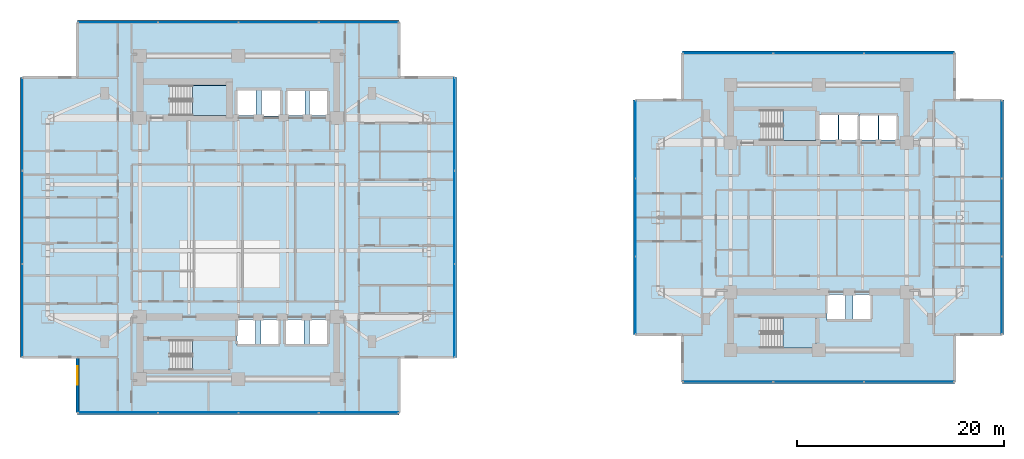
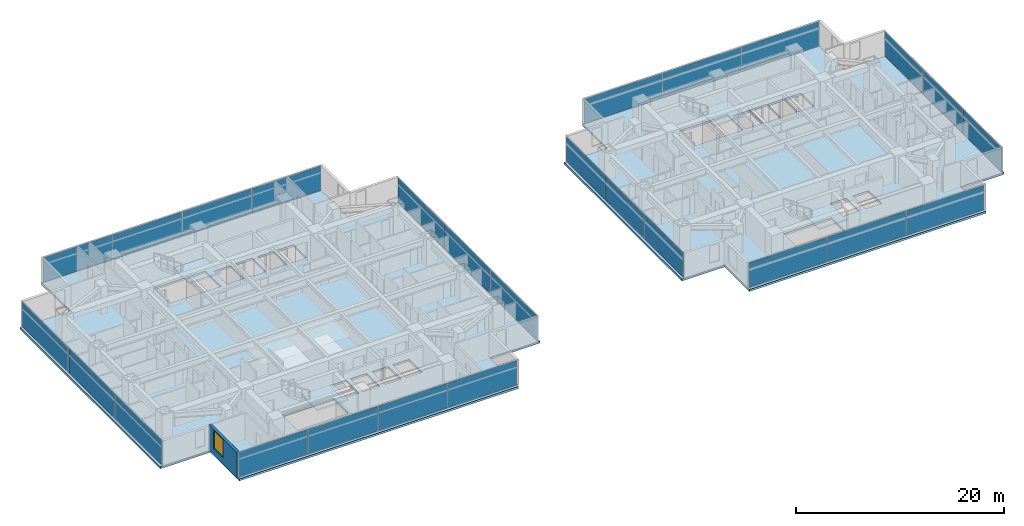
# One storey, part 12 of 27: 26 plates, 6 slabs, 1 wall, 1 window, 1 opening, 12 elements without a shape of their own.
"""IFC4 building model written with IfcOpenShell, lengths in metres."""

import ifcopenshell
import ifcopenshell.guid

model = None  # the IFC model being written
_history = None  # IfcOwnerHistory: only IFC2X3 demands one
_inside = {}  # id of a spatial element -> (the spatial element, [elements in it])
_under = {}  # id of a project, library or spatial element -> (it, [spatial elements below it])
_declared = {}  # id of a project -> (the project, [libraries it declares])
_typed = {}  # id of a type object -> (the type object, [elements of that type])
_made_of = {}  # id of a material, layer set ... -> (it, [elements and type objects made of it])


def new_model(schema):
    """Start an empty IFC model of exactly this schema.

    Asked for "IFC4X3", IfcOpenShell would pick the latest addendum, in which some entities
    have other attributes; the version numbers below select the first issue.
    IFC2X3 requires an IfcOwnerHistory on every rooted entity: one is made here for all.
    """
    global model, _history
    if schema == "IFC4X3":
        model = ifcopenshell.file(schema_version=(4, 3, 0, 0))
    else:
        model = ifcopenshell.file(schema=schema)
    _inside.clear()
    _under.clear()
    _declared.clear()
    _typed.clear()
    _made_of.clear()
    _history = None
    if model.schema == "IFC2X3":
        org = make("IfcOrganization", Name="unknown")
        user = make(
            "IfcPersonAndOrganization",
            ThePerson=make("IfcPerson", FamilyName="unknown"),
            TheOrganization=org,
        )
        app = make(
            "IfcApplication",
            ApplicationDeveloper=org,
            Version="unknown",
            ApplicationFullName="unknown",
            ApplicationIdentifier="unknown",
        )
        _history = make(
            "IfcOwnerHistory",
            OwningUser=user,
            OwningApplication=app,
            ChangeAction="ADDED",
            CreationDate=0,
        )
    return model


def make(cls, **values):
    """One entity of the class cls with the attributes given. An attribute that is None is left unset."""
    return model.create_entity(
        cls, **{name: value for name, value in values.items() if value is not None}
    )


def rooted(cls, **values):
    """An entity with a GlobalId (a new one), such as an element, a storey or a relation."""
    return make(cls, GlobalId=ifcopenshell.guid.new(), OwnerHistory=_history, **values)


def si_unit(unit_type, name, prefix=None):
    """IfcSIUnit, for example si_unit("LENGTHUNIT", "METRE", prefix="MILLI")."""
    return make("IfcSIUnit", UnitType=unit_type, Prefix=prefix, Name=name)


def assignment(units):
    """IfcUnitAssignment: the units of a project."""
    return None if units is None else make("IfcUnitAssignment", Units=units)


def point(xyz):
    """IfcCartesianPoint."""
    return None if xyz is None else make("IfcCartesianPoint", Coordinates=xyz)


def direction(xyz):
    """IfcDirection."""
    return None if xyz is None else make("IfcDirection", DirectionRatios=xyz)


def frame(location, z_axis=None, x_axis=None):
    """IfcAxis2Placement3D, a coordinate frame: its origin and axes. An axis left out is left unset."""
    return make(
        "IfcAxis2Placement3D",
        Location=point(location),
        Axis=direction(z_axis),
        RefDirection=direction(x_axis),
    )


def frame_2d(location, x_axis=None):
    """IfcAxis2Placement2D, a coordinate frame in the plane: its origin and x axis."""
    return make(
        "IfcAxis2Placement2D", Location=point(location), RefDirection=direction(x_axis)
    )


def origin():
    """The frame at (0, 0, 0) with its axes left unset."""
    return frame((0.0, 0.0, 0.0))


def origin_2d():
    """The frame at (0, 0) in the plane with its x axis left unset."""
    return frame_2d((0.0, 0.0))


def place(relative_to, where):
    """IfcLocalPlacement: puts the frame where relative to a parent placement (None: the world)."""
    return make(
        "IfcLocalPlacement", PlacementRelTo=relative_to, RelativePlacement=where
    )


def context(
    kind, dimensions, precision=None, world=None, true_north=None, identifier=None
):
    """IfcGeometricRepresentationContext, for example the 3D "Model" context."""
    return make(
        "IfcGeometricRepresentationContext",
        ContextIdentifier=identifier,
        ContextType=kind,
        CoordinateSpaceDimension=dimensions,
        Precision=precision,
        WorldCoordinateSystem=world,
        TrueNorth=true_north,
    )


def subcontext(parent, identifier, kind, view, scale=None):
    """IfcGeometricRepresentationSubContext, for example "Body" below "Model"."""
    return make(
        "IfcGeometricRepresentationSubContext",
        ContextIdentifier=identifier,
        ContextType=kind,
        ParentContext=parent,
        TargetScale=scale,
        TargetView=view,
    )


def project(units=None, contexts=None):
    """IfcProject with its units and contexts."""
    return rooted(
        "IfcProject",
        Name="project",
        RepresentationContexts=contexts,
        UnitsInContext=assignment(units),
    )


def spatial(cls, under=None, at=None, **own):
    """A site, building, storey or space (cls), placed at a placement, below another one or the project."""
    s = rooted(cls, ObjectPlacement=at, **own)
    if under is not None:
        _under.setdefault(under.id(), (under, []))[1].append(s)
    return s


def polyline(points):
    """IfcPolyline through the points."""
    return make("IfcPolyline", Points=[point(p) for p in points])


def profile(cls, at=None, kind="AREA", **sizes):
    """A parametric profile (cls). Its sizes go by their IFC names, for example OverallWidth=200.0."""
    return make(cls, ProfileType=kind, Position=at, **sizes)


def rectangle(**sizes):
    """IfcRectangleProfileDef."""
    return profile("IfcRectangleProfileDef", **sizes)


def outline(outer, holes=None, kind="AREA"):
    """IfcArbitraryClosedProfileDef: a profile drawn as a closed curve; with holes, ...WithVoids."""
    if holes is None:
        return make("IfcArbitraryClosedProfileDef", ProfileType=kind, OuterCurve=outer)
    return make(
        "IfcArbitraryProfileDefWithVoids",
        ProfileType=kind,
        OuterCurve=outer,
        InnerCurves=holes,
    )


def extrude(swept, where, along, depth):
    """IfcExtrudedAreaSolid: the profile swept, set in the frame where, extruded along a direction by depth."""
    return make(
        "IfcExtrudedAreaSolid",
        SweptArea=swept,
        Position=where,
        ExtrudedDirection=direction(along),
        Depth=depth,
    )


def shape(context_of_items, identifier, shape_type, items):
    """IfcShapeRepresentation: the items that make up one representation, for example the "Body"."""
    return make(
        "IfcShapeRepresentation",
        ContextOfItems=context_of_items,
        RepresentationIdentifier=identifier,
        RepresentationType=shape_type,
        Items=items,
    )


def material(Name=None, Category=None):
    """IfcMaterial."""
    return make("IfcMaterial", Name=Name, Category=Category)


def layer(
    of_material, thickness, ventilated=None, Name=None, Category=None, Priority=None
):
    """IfcMaterialLayer: one layer of a wall or slab, of a material (None: an air gap)."""
    return make(
        "IfcMaterialLayer",
        Material=of_material,
        LayerThickness=thickness,
        IsVentilated=ventilated,
        Name=Name,
        Category=Category,
        Priority=Priority,
    )


def layer_set(layers, Name=None):
    """IfcMaterialLayerSet."""
    return make("IfcMaterialLayerSet", MaterialLayers=layers, LayerSetName=Name)


def made_of(thing, what):
    """Note that an element or type object is made of a material, layer set ...; save() writes the relation."""
    if what is not None:
        _made_of.setdefault(what.id(), (what, []))[1].append(thing)
    return thing


def type_object(cls, material=None, **own):
    """A type object (cls), such as IfcWallType, which elements share."""
    return made_of(rooted(cls, **own), material)


def element(
    cls,
    number,
    at=None,
    inside=None,
    cuts=None,
    type_object=None,
    material=None,
    context=None,
    identifier="Body",
    shape_type=None,
    held_by="IfcProductDefinitionShape",
    body=None,
    shapes=None,
    **own,
):
    """One element of the class cls, such as IfcWall. Its Tag is "e" and its number.

    at: its placement. inside: the storey or other place that contains it. cuts: it is an
    opening in that element (IfcRelVoidsElement). A single representation is given by context,
    identifier, shape_type and body (its items); several are given by shapes. held_by: the class
    of the entity that holds the representations. save() writes the other relations.
    """
    e = rooted(cls, Tag="e%d" % number, ObjectPlacement=at, **own)
    if body is not None:
        shapes = [shape(context, identifier, shape_type, body)]
    if shapes is not None:
        e.Representation = make(held_by, Representations=shapes)
    if inside is not None:
        _inside.setdefault(inside.id(), (inside, []))[1].append(e)
    if cuts is not None:
        rooted(
            "IfcRelVoidsElement", RelatingBuildingElement=cuts, RelatedOpeningElement=e
        )
    if type_object is not None:
        _typed.setdefault(type_object.id(), (type_object, []))[1].append(e)
    return made_of(e, material)


def fill(opening, filler):
    """IfcRelFillsElement: the door or window that sits in an opening."""
    return rooted(
        "IfcRelFillsElement",
        RelatingOpeningElement=opening,
        RelatedBuildingElement=filler,
    )


def aggregate(whole, parts):
    """IfcRelAggregates: a whole, such as a stair, and the parts it consists of."""
    return rooted("IfcRelAggregates", RelatingObject=whole, RelatedObjects=parts)


def save(model, path):
    """Write the relations noted so far, then the file.

    IfcRelAggregates (storeys below a building ...), IfcRelContainedInSpatialStructure (elements
    in a storey), IfcRelDefinesByType, IfcRelAssociatesMaterial and IfcRelDeclares: one each for
    every whole, place, type object, material and project.
    """
    for whole, parts in _under.values():
        aggregate(whole, parts)
    for where, things in _inside.values():
        rooted(
            "IfcRelContainedInSpatialStructure",
            RelatedElements=things,
            RelatingStructure=where,
        )
    for kind, things in _typed.values():
        rooted("IfcRelDefinesByType", RelatedObjects=things, RelatingType=kind)
    for what, things in _made_of.values():
        rooted("IfcRelAssociatesMaterial", RelatedObjects=things, RelatingMaterial=what)
    for by, libraries in _declared.values():
        rooted("IfcRelDeclares", RelatingContext=by, RelatedDefinitions=libraries)
    model.write(path)


model = new_model("IFC4")

# Units and contexts
model_context = context("Model", 3, precision=1e-05, world=origin(), true_north=direction((0.0, 1.0)))
body_context = subcontext(model_context, "Body", "Model", "MODEL_VIEW")
ifc_project = project(units=[si_unit("LENGTHUNIT", "METRE"), si_unit("AREAUNIT", "SQUARE_METRE"), si_unit("VOLUMEUNIT", "CUBIC_METRE"), si_unit("PLANEANGLEUNIT", "RADIAN"), si_unit("MASSUNIT", "GRAM", prefix="KILO")], contexts=[model_context])

# Site, building, storey
site_placement = place(None, origin())
site = spatial("IfcSite", under=ifc_project, at=site_placement, CompositionType="ELEMENT")
building_placement = place(site_placement, origin())
building = spatial("IfcBuilding", under=site, at=building_placement, Name="Mirazonda Arch Towers", CompositionType="ELEMENT")
storey_placement = place(building_placement, frame((0.0, 0.0, 55.39990234375)))
storey = spatial("IfcBuildingStorey", under=building, at=storey_placement, Name="L15", CompositionType="ELEMENT", Elevation=55.39990234375)

# Curtain wall, plates
ifc_material_1 = material(Name="Anodised Aluminium and Low-E Glass", Category="aluminium")
curtain_wall_type = type_object("IfcCurtainWallType", Name="CW-HTL-UNIT", PredefinedType="NOTDEFINED", material=ifc_material_1)
curtain_wall_1_placement = place(storey_placement, origin())
curtain_wall_1 = element("IfcCurtainWall", 1, at=curtain_wall_1_placement, inside=storey, type_object=curtain_wall_type, Name="L15 T1 S Facade CW-L15-T1-S", PredefinedType="NOTDEFINED")
ifc_material_2 = material(Name="Insulated Low-E Solar Glass", Category="glass")
ifc_layer_1 = layer(ifc_material_2, 0.035888671875, Name="PAN-CW-HTL-UNIT")
ifc_layer_set_1 = layer_set([ifc_layer_1], Name="Insulated Low-E Solar Glass")
plate_type = type_object("IfcPlateType", Name="PAN-CW-HTL-UNIT", PredefinedType="CURTAIN_PANEL", material=ifc_layer_set_1)
plate_1_placement = place(storey_placement, frame((32.121337890625, 9.162109375, 0.0751953125), z_axis=(0.0, 0.0, 1.0), x_axis=(-1.0, 0.0, 0.0)))
plate_1 = element("IfcPlate", 2, at=plate_1_placement, type_object=plate_type, Name="CW-112 panel 1.1", PredefinedType="CURTAIN_PANEL", context=body_context, shape_type="SweptSolid", body=[
    extrude(rectangle(XDim=7.6474609375, YDim=0.035888671875, at=origin_2d()), origin(), (0.0, 0.0, 1.0), 2.889892578125),
])
plate_2_placement = place(storey_placement, frame((24.3798828125, 9.162109375, 0.0751953125), z_axis=(0.0, 0.0, 1.0), x_axis=(-1.0, 0.0, 0.0)))
plate_2 = element("IfcPlate", 3, at=plate_2_placement, type_object=plate_type, Name="CW-112 panel 2.1", PredefinedType="CURTAIN_PANEL", context=body_context, shape_type="SweptSolid", body=[
    extrude(rectangle(XDim=7.68505859375, YDim=0.035888671875, at=origin_2d()), origin(), (0.0, 0.0, 1.0), 2.889892578125),
])
plate_3_placement = place(storey_placement, frame((16.6201171875, 9.162109375, 0.0751953125), z_axis=(0.0, 0.0, 1.0), x_axis=(-1.0, 0.0, 0.0)))
plate_3 = element("IfcPlate", 4, at=plate_3_placement, type_object=plate_type, Name="CW-112 panel 3.1", PredefinedType="CURTAIN_PANEL", context=body_context, shape_type="SweptSolid", body=[
    extrude(rectangle(XDim=7.68505859375, YDim=0.035888671875, at=origin_2d()), origin(), (0.0, 0.0, 1.0), 2.889892578125),
])
plate_4_placement = place(storey_placement, frame((8.878662109375, 9.162109375, 0.0751953125), z_axis=(0.0, 0.0, 1.0), x_axis=(-1.0, 0.0, 0.0)))
plate_4 = element("IfcPlate", 5, at=plate_4_placement, type_object=plate_type, Name="CW-112 panel 4.1", PredefinedType="CURTAIN_PANEL", context=body_context, shape_type="SweptSolid", body=[
    extrude(rectangle(XDim=7.6474609375, YDim=0.035888671875, at=origin_2d()), origin(), (0.0, 0.0, 1.0), 2.889892578125),
])
aggregate(curtain_wall_1, [plate_1, plate_2, plate_3, plate_4])

curtain_wall_2_placement = place(storey_placement, origin())
curtain_wall_2 = element("IfcCurtainWall", 6, at=curtain_wall_2_placement, inside=storey, type_object=curtain_wall_type, Name="L15 T1 E Facade CW-L15-T1-E", PredefinedType="NOTDEFINED")
plate_5_placement = place(storey_placement, frame((41.360107421875, 19.02001953125, 0.0751953125), z_axis=(0.0, 0.0, 1.0), x_axis=(0.0, 1.0, 0.0)))
plate_5 = element("IfcPlate", 7, at=plate_5_placement, type_object=plate_type, Name="CW-112 panel 1.1", PredefinedType="CURTAIN_PANEL", context=body_context, shape_type="SweptSolid", body=[
    extrude(rectangle(XDim=8.88623046875, YDim=0.035888671875, at=origin_2d()), origin(), (0.0, 0.0, 1.0), 2.889892578125),
])
plate_6_placement = place(storey_placement, frame((41.360107421875, 28.0, 0.0751953125), z_axis=(0.0, 0.0, 1.0), x_axis=(0.0, 1.0, 0.0)))
plate_6 = element("IfcPlate", 8, at=plate_6_placement, type_object=plate_type, Name="CW-112 panel 2.1", PredefinedType="CURTAIN_PANEL", context=body_context, shape_type="SweptSolid", body=[
    extrude(rectangle(XDim=8.923583984375, YDim=0.035888671875, at=origin_2d()), origin(), (0.0, 0.0, 1.0), 2.889892578125),
])
plate_7_placement = place(storey_placement, frame((41.360107421875, 36.97998046875, 0.0751953125), z_axis=(0.0, 0.0, 1.0), x_axis=(0.0, 1.0, 0.0)))
plate_7 = element("IfcPlate", 9, at=plate_7_placement, type_object=plate_type, Name="CW-112 panel 3.1", PredefinedType="CURTAIN_PANEL", context=body_context, shape_type="SweptSolid", body=[
    extrude(rectangle(XDim=8.88623046875, YDim=0.035888671875, at=origin_2d()), origin(), (0.0, 0.0, 1.0), 2.889892578125),
])
aggregate(curtain_wall_2, [plate_5, plate_6, plate_7])

curtain_wall_3_placement = place(storey_placement, origin())
curtain_wall_3 = element("IfcCurtainWall", 10, at=curtain_wall_3_placement, inside=storey, type_object=curtain_wall_type, Name="L15 T1 N Facade CW-L15-T1-N", PredefinedType="NOTDEFINED")
plate_8_placement = place(storey_placement, frame((8.878662109375, 46.837890625, 0.0751953125), z_axis=(0.0, 0.0, 1.0), x_axis=(1.0, 0.0, 0.0)))
plate_8 = element("IfcPlate", 11, at=plate_8_placement, type_object=plate_type, Name="CW-112 panel 1.1", PredefinedType="CURTAIN_PANEL", context=body_context, shape_type="SweptSolid", body=[
    extrude(rectangle(XDim=7.6474609375, YDim=0.035888671875, at=origin_2d()), origin(), (0.0, 0.0, 1.0), 2.889892578125),
])
plate_9_placement = place(storey_placement, frame((16.6201171875, 46.837890625, 0.0751953125), z_axis=(0.0, 0.0, 1.0), x_axis=(1.0, 0.0, 0.0)))
plate_9 = element("IfcPlate", 12, at=plate_9_placement, type_object=plate_type, Name="CW-112 panel 2.1", PredefinedType="CURTAIN_PANEL", context=body_context, shape_type="SweptSolid", body=[
    extrude(rectangle(XDim=7.68505859375, YDim=0.035888671875, at=origin_2d()), origin(), (0.0, 0.0, 1.0), 2.889892578125),
])
plate_10_placement = place(storey_placement, frame((24.3798828125, 46.837890625, 0.0751953125), z_axis=(0.0, 0.0, 1.0), x_axis=(1.0, 0.0, 0.0)))
plate_10 = element("IfcPlate", 13, at=plate_10_placement, type_object=plate_type, Name="CW-112 panel 3.1", PredefinedType="CURTAIN_PANEL", context=body_context, shape_type="SweptSolid", body=[
    extrude(rectangle(XDim=7.68505859375, YDim=0.035888671875, at=origin_2d()), origin(), (0.0, 0.0, 1.0), 2.889892578125),
])
plate_11_placement = place(storey_placement, frame((32.121337890625, 46.837890625, 0.0751953125), z_axis=(0.0, 0.0, 1.0), x_axis=(1.0, 0.0, 0.0)))
plate_11 = element("IfcPlate", 14, at=plate_11_placement, type_object=plate_type, Name="CW-112 panel 4.1", PredefinedType="CURTAIN_PANEL", context=body_context, shape_type="SweptSolid", body=[
    extrude(rectangle(XDim=7.6474609375, YDim=0.035888671875, at=origin_2d()), origin(), (0.0, 0.0, 1.0), 2.889892578125),
])
aggregate(curtain_wall_3, [plate_8, plate_9, plate_10, plate_11])

curtain_wall_4_placement = place(storey_placement, origin())
curtain_wall_4 = element("IfcCurtainWall", 15, at=curtain_wall_4_placement, inside=storey, type_object=curtain_wall_type, Name="L15 T1 W Facade CW-L15-T1-W", PredefinedType="NOTDEFINED")
plate_12_placement = place(storey_placement, frame((-0.360107421875, 36.97998046875, 0.0751953125), z_axis=(0.0, 0.0, 1.0), x_axis=(0.0, -1.0, 0.0)))
plate_12 = element("IfcPlate", 16, at=plate_12_placement, type_object=plate_type, Name="CW-112 panel 1.1", PredefinedType="CURTAIN_PANEL", context=body_context, shape_type="SweptSolid", body=[
    extrude(rectangle(XDim=8.88623046875, YDim=0.035888671875, at=origin_2d()), origin(), (0.0, 0.0, 1.0), 2.889892578125),
])
plate_13_placement = place(storey_placement, frame((-0.360107421875, 28.0, 0.0751953125), z_axis=(0.0, 0.0, 1.0), x_axis=(0.0, -1.0, 0.0)))
plate_13 = element("IfcPlate", 17, at=plate_13_placement, type_object=plate_type, Name="CW-112 panel 2.1", PredefinedType="CURTAIN_PANEL", context=body_context, shape_type="SweptSolid", body=[
    extrude(rectangle(XDim=8.923583984375, YDim=0.035888671875, at=origin_2d()), origin(), (0.0, 0.0, 1.0), 2.889892578125),
])
plate_14_placement = place(storey_placement, frame((-0.360107421875, 19.02001953125, 0.0751953125), z_axis=(0.0, 0.0, 1.0), x_axis=(0.0, -1.0, 0.0)))
plate_14 = element("IfcPlate", 18, at=plate_14_placement, type_object=plate_type, Name="CW-112 panel 3.1", PredefinedType="CURTAIN_PANEL", context=body_context, shape_type="SweptSolid", body=[
    extrude(rectangle(XDim=8.88623046875, YDim=0.035888671875, at=origin_2d()), origin(), (0.0, 0.0, 1.0), 2.889892578125),
])
aggregate(curtain_wall_4, [plate_12, plate_13, plate_14])

curtain_wall_5_placement = place(storey_placement, origin())
curtain_wall_5 = element("IfcCurtainWall", 19, at=curtain_wall_5_placement, inside=storey, type_object=curtain_wall_type, Name="L15 T2 S Facade CW-L15-T2-S", PredefinedType="NOTDEFINED")
plate_15_placement = place(storey_placement, frame((85.23583984375, 12.140625, 0.0751953125), z_axis=(0.0, 0.0, 1.0), x_axis=(-1.0, 0.0, 0.0)))
plate_15 = element("IfcPlate", 20, at=plate_15_placement, type_object=plate_type, Name="CW-112 panel 1.1", PredefinedType="CURTAIN_PANEL", context=body_context, shape_type="SweptSolid", body=[
    extrude(rectangle(XDim=8.64208984375, YDim=0.035888671875, at=origin_2d()), origin(), (0.0, 0.0, 1.0), 2.889892578125),
])
plate_16_placement = place(storey_placement, frame((76.5, 12.140625, 0.0751953125), z_axis=(0.0, 0.0, 1.0), x_axis=(-1.0, 0.0, 0.0)))
plate_16 = element("IfcPlate", 21, at=plate_16_placement, type_object=plate_type, Name="CW-112 panel 2.1", PredefinedType="CURTAIN_PANEL", context=body_context, shape_type="SweptSolid", body=[
    extrude(rectangle(XDim=8.6796875, YDim=0.035888671875, at=origin_2d()), origin(), (0.0, 0.0, 1.0), 2.889892578125),
])
plate_17_placement = place(storey_placement, frame((67.76416015625, 12.140625, 0.0751953125), z_axis=(0.0, 0.0, 1.0), x_axis=(-1.0, 0.0, 0.0)))
plate_17 = element("IfcPlate", 22, at=plate_17_placement, type_object=plate_type, Name="CW-112 panel 3.1", PredefinedType="CURTAIN_PANEL", context=body_context, shape_type="SweptSolid", body=[
    extrude(rectangle(XDim=8.64208984375, YDim=0.035888671875, at=origin_2d()), origin(), (0.0, 0.0, 1.0), 2.889892578125),
])
aggregate(curtain_wall_5, [plate_15, plate_16, plate_17])

curtain_wall_6_placement = place(storey_placement, origin())
curtain_wall_6 = element("IfcCurtainWall", 23, at=curtain_wall_6_placement, inside=storey, type_object=curtain_wall_type, Name="L15 T2 E Facade CW-L15-T2-E", PredefinedType="NOTDEFINED")
plate_18_placement = place(storey_placement, frame((94.177978515625, 20.4765625, 0.0751953125), z_axis=(0.0, 0.0, 1.0), x_axis=(0.0, 1.0, 0.0)))
plate_18 = element("IfcPlate", 24, at=plate_18_placement, type_object=plate_type, Name="CW-112 panel 1.1", PredefinedType="CURTAIN_PANEL", context=body_context, shape_type="SweptSolid", body=[
    extrude(rectangle(XDim=7.4296875, YDim=0.035888671875, at=origin_2d()), origin(), (0.0, 0.0, 1.0), 2.889892578125),
])
plate_19_placement = place(storey_placement, frame((94.177978515625, 28.0, 0.0751953125), z_axis=(0.0, 0.0, 1.0), x_axis=(0.0, 1.0, 0.0)))
plate_19 = element("IfcPlate", 25, at=plate_19_placement, type_object=plate_type, Name="CW-112 panel 2.1", PredefinedType="CURTAIN_PANEL", context=body_context, shape_type="SweptSolid", body=[
    extrude(rectangle(XDim=7.46728515625, YDim=0.035888671875, at=origin_2d()), origin(), (0.0, 0.0, 1.0), 2.889892578125),
])
plate_20_placement = place(storey_placement, frame((94.177978515625, 35.5234375, 0.0751953125), z_axis=(0.0, 0.0, 1.0), x_axis=(0.0, 1.0, 0.0)))
plate_20 = element("IfcPlate", 26, at=plate_20_placement, type_object=plate_type, Name="CW-112 panel 3.1", PredefinedType="CURTAIN_PANEL", context=body_context, shape_type="SweptSolid", body=[
    extrude(rectangle(XDim=7.4296875, YDim=0.035888671875, at=origin_2d()), origin(), (0.0, 0.0, 1.0), 2.889892578125),
])
aggregate(curtain_wall_6, [plate_18, plate_19, plate_20])

curtain_wall_7_placement = place(storey_placement, origin())
curtain_wall_7 = element("IfcCurtainWall", 27, at=curtain_wall_7_placement, inside=storey, type_object=curtain_wall_type, Name="L15 T2 N Facade CW-L15-T2-N", PredefinedType="NOTDEFINED")
plate_21_placement = place(storey_placement, frame((67.76416015625, 43.859375, 0.0751953125), z_axis=(0.0, 0.0, 1.0), x_axis=(1.0, 0.0, 0.0)))
plate_21 = element("IfcPlate", 28, at=plate_21_placement, type_object=plate_type, Name="CW-112 panel 1.1", PredefinedType="CURTAIN_PANEL", context=body_context, shape_type="SweptSolid", body=[
    extrude(rectangle(XDim=8.64208984375, YDim=0.035888671875, at=origin_2d()), origin(), (0.0, 0.0, 1.0), 2.889892578125),
])
plate_22_placement = place(storey_placement, frame((76.5, 43.859375, 0.0751953125), z_axis=(0.0, 0.0, 1.0), x_axis=(1.0, 0.0, 0.0)))
plate_22 = element("IfcPlate", 29, at=plate_22_placement, type_object=plate_type, Name="CW-112 panel 2.1", PredefinedType="CURTAIN_PANEL", context=body_context, shape_type="SweptSolid", body=[
    extrude(rectangle(XDim=8.6796875, YDim=0.035888671875, at=origin_2d()), origin(), (0.0, 0.0, 1.0), 2.889892578125),
])
plate_23_placement = place(storey_placement, frame((85.23583984375, 43.859375, 0.0751953125), z_axis=(0.0, 0.0, 1.0), x_axis=(1.0, 0.0, 0.0)))
plate_23 = element("IfcPlate", 30, at=plate_23_placement, type_object=plate_type, Name="CW-112 panel 3.1", PredefinedType="CURTAIN_PANEL", context=body_context, shape_type="SweptSolid", body=[
    extrude(rectangle(XDim=8.64208984375, YDim=0.035888671875, at=origin_2d()), origin(), (0.0, 0.0, 1.0), 2.889892578125),
])
aggregate(curtain_wall_7, [plate_21, plate_22, plate_23])

curtain_wall_8_placement = place(storey_placement, origin())
curtain_wall_8 = element("IfcCurtainWall", 31, at=curtain_wall_8_placement, inside=storey, type_object=curtain_wall_type, Name="L15 T2 W Facade CW-L15-T2-W", PredefinedType="NOTDEFINED")
plate_24_placement = place(storey_placement, frame((58.822021484375, 35.5234375, 0.0751953125), z_axis=(0.0, 0.0, 1.0), x_axis=(0.0, -1.0, 0.0)))
plate_24 = element("IfcPlate", 32, at=plate_24_placement, type_object=plate_type, Name="CW-112 panel 1.1", PredefinedType="CURTAIN_PANEL", context=body_context, shape_type="SweptSolid", body=[
    extrude(rectangle(XDim=7.4296875, YDim=0.035888671875, at=origin_2d()), origin(), (0.0, 0.0, 1.0), 2.889892578125),
])
plate_25_placement = place(storey_placement, frame((58.822021484375, 28.0, 0.0751953125), z_axis=(0.0, 0.0, 1.0), x_axis=(0.0, -1.0, 0.0)))
plate_25 = element("IfcPlate", 33, at=plate_25_placement, type_object=plate_type, Name="CW-112 panel 2.1", PredefinedType="CURTAIN_PANEL", context=body_context, shape_type="SweptSolid", body=[
    extrude(rectangle(XDim=7.46728515625, YDim=0.035888671875, at=origin_2d()), origin(), (0.0, 0.0, 1.0), 2.889892578125),
])
plate_26_placement = place(storey_placement, frame((58.822021484375, 20.4765625, 0.0751953125), z_axis=(0.0, 0.0, 1.0), x_axis=(0.0, -1.0, 0.0)))
plate_26 = element("IfcPlate", 34, at=plate_26_placement, type_object=plate_type, Name="CW-112 panel 3.1", PredefinedType="CURTAIN_PANEL", context=body_context, shape_type="SweptSolid", body=[
    extrude(rectangle(XDim=7.4296875, YDim=0.035888671875, at=origin_2d()), origin(), (0.0, 0.0, 1.0), 2.889892578125),
])
aggregate(curtain_wall_8, [plate_24, plate_25, plate_26])

# Stair, slab
ifc_material_3 = material(Name="Concrete C40/50", Category="concrete")
stair_type = type_object("IfcStairType", Name="STAIR-CORE-1400", PredefinedType="HALF_TURN_STAIR", material=ifc_material_3)
stair_1_placement = place(storey_placement, origin())
stair_1 = element("IfcStair", 35, at=stair_1_placement, inside=storey, type_object=stair_type, Name="L15 Protected Exit Stair ST-T1N", PredefinedType="HALF_TURN_STAIR")
ifc_layer_2 = layer(ifc_material_3, 0.18994140625, Name="SLAB-LANDING-190")
ifc_layer_set_2 = layer_set([ifc_layer_2], Name="Concrete C40/50")
slab_type_1 = type_object("IfcSlabType", Name="SLAB-LANDING-190", PredefinedType="LANDING", material=ifc_layer_set_2)
slab_1_placement = place(storey_placement, frame((0.0, 0.0, 1.4501953125)))
slab_1 = element("IfcSlab", 36, at=slab_1_placement, type_object=slab_type_1, Name="ST-T1N landing 1", PredefinedType="LANDING", context=body_context, shape_type="SweptSolid", body=[
    extrude(outline(polyline([(16.090087890625, 37.820068359375), (19.60009765625, 37.820068359375), (19.60009765625, 40.760009765625), (16.090087890625, 40.760009765625), (16.090087890625, 37.820068359375)])), origin(), (0.0, 0.0, 1.0), 0.199951171875),
])
aggregate(stair_1, [slab_1])

stair_2_placement = place(storey_placement, origin())
stair_2 = element("IfcStair", 37, at=stair_2_placement, inside=storey, type_object=stair_type, Name="L15 Protected Exit Stair ST-T1S", PredefinedType="HALF_TURN_STAIR")
slab_2_placement = place(storey_placement, frame((0.0, 0.0, 1.4501953125)))
slab_2 = element("IfcSlab", 38, at=slab_2_placement, type_object=slab_type_1, Name="ST-T1S landing 1", PredefinedType="LANDING", context=body_context, shape_type="SweptSolid", body=[
    extrude(outline(polyline([(16.090087890625, 13.25), (19.60009765625, 13.25), (19.60009765625, 16.18994140625), (16.090087890625, 16.18994140625), (16.090087890625, 13.25)])), origin(), (0.0, 0.0, 1.0), 0.199951171875),
])
aggregate(stair_2, [slab_2])

stair_3_placement = place(storey_placement, origin())
stair_3 = element("IfcStair", 39, at=stair_3_placement, inside=storey, type_object=stair_type, Name="L15 Protected Exit Stair ST-T2N", PredefinedType="HALF_TURN_STAIR")
slab_3_placement = place(storey_placement, frame((0.0, 0.0, 1.4501953125)))
slab_3 = element("IfcSlab", 40, at=slab_3_placement, type_object=slab_type_1, Name="ST-T2N landing 1", PredefinedType="LANDING", context=body_context, shape_type="SweptSolid", body=[
    extrude(outline(polyline([(73.090087890625, 35.419921875), (76.22998046875, 35.419921875), (76.22998046875, 38.360107421875), (73.090087890625, 38.360107421875), (73.090087890625, 35.419921875)])), origin(), (0.0, 0.0, 1.0), 0.199951171875),
])
aggregate(stair_3, [slab_3])

stair_4_placement = place(storey_placement, origin())
stair_4 = element("IfcStair", 41, at=stair_4_placement, inside=storey, type_object=stair_type, Name="L15 Protected Exit Stair ST-T2S", PredefinedType="HALF_TURN_STAIR")
slab_4_placement = place(storey_placement, frame((0.0, 0.0, 1.4501953125)))
slab_4 = element("IfcSlab", 42, at=slab_4_placement, type_object=slab_type_1, Name="ST-T2S landing 1", PredefinedType="LANDING", context=body_context, shape_type="SweptSolid", body=[
    extrude(outline(polyline([(73.090087890625, 15.419921875), (76.22998046875, 15.419921875), (76.22998046875, 18.360107421875), (73.090087890625, 18.360107421875), (73.090087890625, 15.419921875)])), origin(), (0.0, 0.0, 1.0), 0.199951171875),
])
aggregate(stair_4, [slab_4])

# Slabs
ifc_layer_3 = layer(ifc_material_3, 0.239990234375, Name="SLAB-TWR-240")
ifc_layer_set_3 = layer_set([ifc_layer_3], Name="Concrete C40/50")
slab_type_2 = type_object("IfcSlabType", Name="SLAB-TWR-240", PredefinedType="FLOOR", material=ifc_layer_set_3)
slab_5_placement = place(storey_placement, frame((0.0, 0.0, -0.239990234375)))
element("IfcSlab", 43, at=slab_5_placement, inside=storey, type_object=slab_type_2, Name="L15 Tower 1 Floor Slab", PredefinedType="FLOOR", context=body_context, shape_type="SweptSolid", body=[
    extrude(outline(polyline([(4.97998046875, 8.94189453125), (36.02001953125, 8.94189453125), (36.02001953125, 14.501953125), (41.580078125, 14.501953125), (41.580078125, 41.498046875), (36.02001953125, 41.498046875), (36.02001953125, 47.05810546875), (4.97998046875, 47.05810546875), (4.97998046875, 41.498046875), (-0.580078125, 41.498046875), (-0.580078125, 14.501953125), (4.97998046875, 14.501953125), (4.97998046875, 8.94189453125)]), holes=[polyline([(29.139892578125, 18.139892578125), (29.139892578125, 15.659912109375), (27.360107421875, 15.659912109375), (27.360107421875, 18.139892578125), (29.139892578125, 18.139892578125)]), polyline([(29.139892578125, 40.340087890625), (29.139892578125, 37.860107421875), (27.360107421875, 37.860107421875), (27.360107421875, 40.340087890625), (29.139892578125, 40.340087890625)]), polyline([(25.159912109375, 40.340087890625), (26.93994140625, 40.340087890625), (26.93994140625, 37.860107421875), (25.159912109375, 37.860107421875), (25.159912109375, 40.340087890625)]), polyline([(26.840087890625, 18.139892578125), (26.840087890625, 15.659912109375), (25.06005859375, 15.659912109375), (25.06005859375, 18.139892578125), (26.840087890625, 18.139892578125)]), polyline([(22.7099609375, 40.389892578125), (24.590087890625, 40.389892578125), (24.590087890625, 37.81005859375), (22.7099609375, 37.81005859375), (22.7099609375, 40.389892578125)]), polyline([(22.659912109375, 18.139892578125), (24.43994140625, 18.139892578125), (24.43994140625, 15.659912109375), (22.659912109375, 15.659912109375), (22.659912109375, 18.139892578125)]), polyline([(20.31005859375, 40.340087890625), (22.18994140625, 40.340087890625), (22.18994140625, 37.860107421875), (20.31005859375, 37.860107421875), (20.31005859375, 40.340087890625)]), polyline([(20.360107421875, 18.139892578125), (22.139892578125, 18.139892578125), (22.139892578125, 15.659912109375), (20.360107421875, 15.659912109375), (20.360107421875, 18.139892578125)]), polyline([(13.925048828125, 40.760009765625), (19.60009765625, 40.760009765625), (19.60009765625, 37.820068359375), (13.925048828125, 37.820068359375), (13.925048828125, 40.760009765625)]), polyline([(13.925048828125, 13.25), (13.925048828125, 16.18994140625), (19.60009765625, 16.18994140625), (19.60009765625, 13.25), (13.925048828125, 13.25)])]), origin(), (0.0, 0.0, 1.0), 0.239990234375),
])
slab_6_placement = place(storey_placement, frame((0.0, 0.0, -0.239990234375)))
element("IfcSlab", 44, at=slab_6_placement, inside=storey, type_object=slab_type_2, Name="L15 Tower 2 Floor Slab", PredefinedType="FLOOR", context=body_context, shape_type="SweptSolid", body=[
    extrude(outline(polyline([(63.367919921875, 11.920654296875), (89.632080078125, 11.920654296875), (89.632080078125, 16.686767578125), (94.39794921875, 16.686767578125), (94.39794921875, 39.313232421875), (89.632080078125, 39.313232421875), (89.632080078125, 44.079345703125), (63.367919921875, 44.079345703125), (63.367919921875, 39.313232421875), (58.60205078125, 39.313232421875), (58.60205078125, 16.686767578125), (63.367919921875, 16.686767578125), (63.367919921875, 11.920654296875)]), holes=[polyline([(82.330078125, 37.93994140625), (84.110107421875, 37.93994140625), (84.110107421875, 35.4599609375), (82.330078125, 35.4599609375), (82.330078125, 37.93994140625)]), polyline([(80.449951171875, 37.93994140625), (82.22998046875, 37.93994140625), (82.22998046875, 35.4599609375), (80.449951171875, 35.4599609375), (80.449951171875, 37.93994140625)]), polyline([(79.81005859375, 20.5400390625), (81.590087890625, 20.5400390625), (81.590087890625, 18.06005859375), (79.81005859375, 18.06005859375), (79.81005859375, 20.5400390625)]), polyline([(78.47998046875, 37.989990234375), (80.360107421875, 37.989990234375), (80.360107421875, 35.409912109375), (78.47998046875, 35.409912109375), (78.47998046875, 37.989990234375)]), polyline([(77.31005859375, 20.5400390625), (79.090087890625, 20.5400390625), (79.090087890625, 18.06005859375), (77.31005859375, 18.06005859375), (77.31005859375, 20.5400390625)]), polyline([(76.510009765625, 37.93994140625), (78.389892578125, 37.93994140625), (78.389892578125, 35.4599609375), (76.510009765625, 35.4599609375), (76.510009765625, 37.93994140625)]), polyline([(70.925048828125, 15.419921875), (70.925048828125, 18.360107421875), (76.22998046875, 18.360107421875), (76.22998046875, 15.419921875), (70.925048828125, 15.419921875)]), polyline([(70.925048828125, 35.419921875), (70.925048828125, 38.360107421875), (76.22998046875, 38.360107421875), (76.22998046875, 35.419921875), (70.925048828125, 35.419921875)])]), origin(), (0.0, 0.0, 1.0), 0.239990234375),
])

# Wall, opening, window
ifc_material_4 = material(Name="Precast Concrete C40/50", Category="concrete")
ifc_layer_4 = layer(ifc_material_4, 0.280029296875, Name="WALL-EXT-WALL-280")
ifc_layer_set_4 = layer_set([ifc_layer_4], Name="Precast Concrete C40/50")
wall_type = type_object("IfcWallType", Name="WALL-EXT-WALL-280", PredefinedType="SOLIDWALL", material=ifc_layer_set_4)
wall_placement = place(storey_placement, frame((4.97998046875, 14.501953125, 0.0), z_axis=(0.0, 0.0, 1.0), x_axis=(0.0, -1.0, 0.0)))
wall = element("IfcWall", 45, at=wall_placement, inside=storey, type_object=wall_type, Name="L15 T1 Notched SW Corner Wall WL-L15-T1-CSW", PredefinedType="SOLIDWALL", context=body_context, shape_type="SweptSolid", body=[
    extrude(rectangle(XDim=5.33984375, YDim=0.280029296875, at=frame_2d((2.669921875, 0.0))), origin(), (0.0, 0.0, 1.0), 3.0400390625),
])
opening_placement = place(wall_placement, frame((0.85009765625, 0.0, 0.7900390625)))
opening = element("IfcOpeningElement", 46, at=opening_placement, cuts=wall, Name="Opening WN-116", PredefinedType="OPENING", context=body_context, shape_type="SweptSolid", body=[
    extrude(rectangle(XDim=1.800048828125, YDim=2.10009765625, at=frame_2d((0.89990234375, 1.050048828125))), frame((0.0, 0.14990234375, 0.0), z_axis=(0.0, -1.0, 0.0), x_axis=(1.0, 0.0, 0.0)), (0.0, 0.0, 1.0), 0.300048828125),
])
window_type = type_object("IfcWindowType", Name="WIN-HTL-1800x2100", PartitioningType="SINGLE_PANEL", PredefinedType="WINDOW", material=ifc_material_2)
window_placement = place(opening_placement, origin())
window = element("IfcWindow", 47, at=window_placement, inside=storey, type_object=window_type, Name="L15 Punched Facade Window WN-L15-T1-CSW", OverallHeight=2.10009765625, OverallWidth=1.800048828125, PartitioningType="SINGLE_PANEL", PredefinedType="WINDOW", context=body_context, shape_type="SweptSolid", body=[
    extrude(rectangle(XDim=1.800048828125, YDim=2.10009765625, at=frame_2d((0.89990234375, 1.050048828125))), frame((0.0, 0.030029296875, 0.0), z_axis=(0.0, -1.0, 0.0), x_axis=(1.0, 0.0, 0.0)), (0.0, 0.0, 1.0), 0.06005859375),
])
fill(opening, window)

save(model, "model.ifc")
